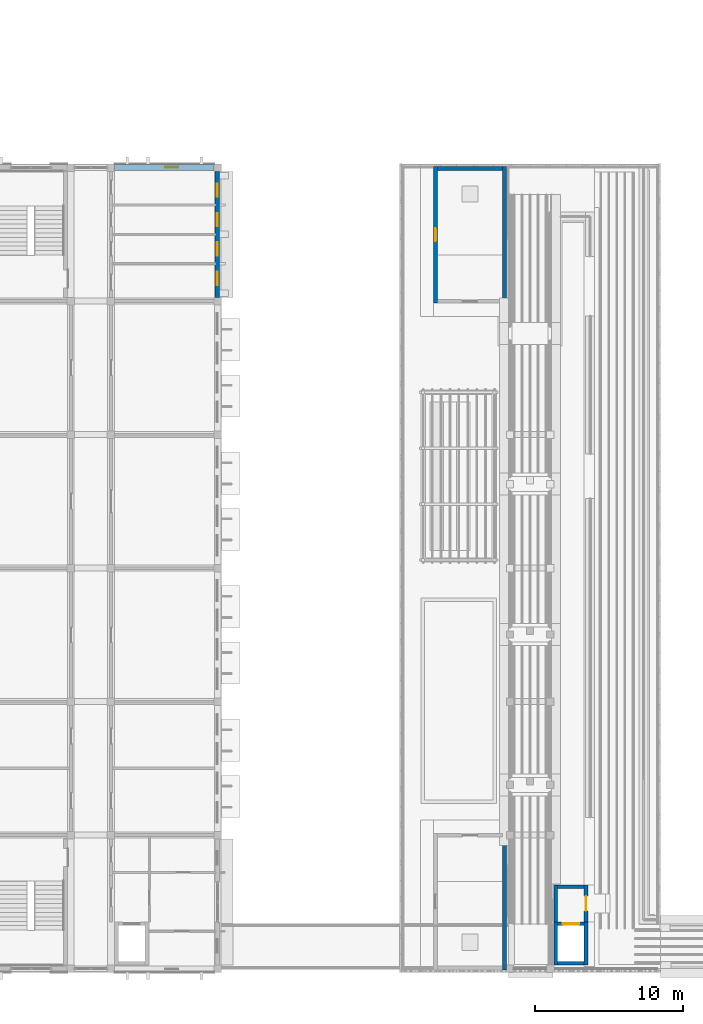
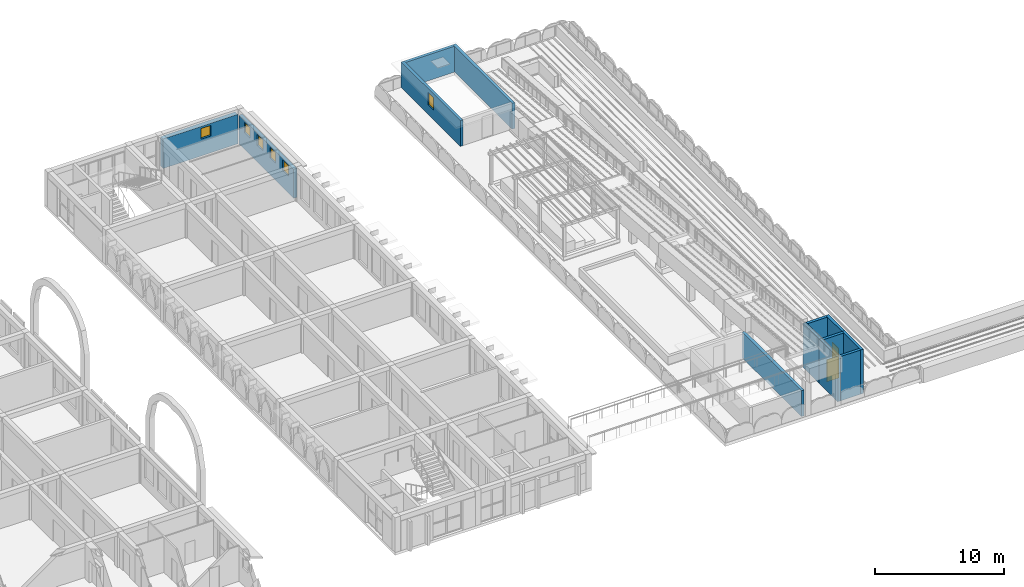
# One storey, part 44 of 65: 13 walls, 6 windows, 2 doors, 8 openings.
"""IFC4 building model written with IfcOpenShell, lengths in metres."""

from ifc_helpers import new_model, si_unit, direction, frame, frame_2d, origin, place, context, subcontext, project, spatial, rectangle, extrude, material, layer, layer_set, type_object, element, fill, save


model = new_model("IFC4")

# Units and contexts
model_context = context("Model", 3, precision=1e-05, world=origin(), true_north=direction((0.0, 1.0)))
body_context = subcontext(model_context, "Body", "Model", "MODEL_VIEW")
ifc_project = project(units=[si_unit("LENGTHUNIT", "METRE"), si_unit("AREAUNIT", "SQUARE_METRE"), si_unit("VOLUMEUNIT", "CUBIC_METRE"), si_unit("PLANEANGLEUNIT", "RADIAN"), si_unit("MASSUNIT", "GRAM", prefix="KILO")], contexts=[model_context])

# Site, building, storey
site_placement = place(None, origin())
site = spatial("IfcSite", under=ifc_project, at=site_placement, CompositionType="ELEMENT")
building_placement = place(site_placement, origin())
building = spatial("IfcBuilding", under=site, at=building_placement, Name="Elbe Cascade School", CompositionType="ELEMENT")
storey_placement = place(building_placement, frame((0.0, 0.0, 11.699951171875)))
storey = spatial("IfcBuildingStorey", under=building, at=storey_placement, Name="L03", CompositionType="ELEMENT", Elevation=11.699951171875)

# Wall, openings, windows
ifc_material_1 = material(Name="Brick masonry - red clinker, cavity wall with render backing", Category="masonry")
ifc_layer_1 = layer(ifc_material_1, 0.300048828125)
ifc_layer_set_1 = layer_set([ifc_layer_1], Name="Brick masonry - red clinker, cavity wall with render backing")
wall_type_1 = type_object("IfcWallType", Name="Bars envelope External wall - clinker brick cavity, 300 upper floors", PredefinedType="STANDARD", material=ifc_layer_set_1)
wall_1_placement = place(storey_placement, frame((115.669921875, 59.75, 0.0), z_axis=(0.0, 0.0, 1.0), x_axis=(0.0, -1.0, 0.0)))
wall_1 = element("IfcWall", 1, at=wall_1_placement, inside=storey, type_object=wall_type_1, Name="External wall W30 B.L03.e6", PredefinedType="STANDARD", context=body_context, shape_type="SweptSolid", body=[
    extrude(rectangle(XDim=8.5, YDim=0.300048828125, at=frame_2d((4.25, 0.0))), origin(), (0.0, 0.0, 1.0), 2.75),
])
opening_1_placement = place(wall_1_placement, frame((6.77001953125, 0.0, 1.60009765625)))
opening_1 = element("IfcOpeningElement", 2, at=opening_1_placement, cuts=wall_1, Name="Opening W3.074", PredefinedType="OPENING", context=body_context, shape_type="SweptSolid", body=[
    extrude(rectangle(XDim=0.89990234375, YDim=1.0, at=frame_2d((0.449951171875, 0.5))), frame((0.0, 0.159912109375, 0.0), z_axis=(0.0, -1.0, 0.0), x_axis=(1.0, 0.0, 0.0)), (0.0, 0.0, 1.0), 0.320068359375),
])
opening_2_placement = place(wall_1_placement, frame((4.7900390625, 0.0, 1.60009765625)))
opening_2 = element("IfcOpeningElement", 3, at=opening_2_placement, cuts=wall_1, Name="Opening W3.075", PredefinedType="OPENING", context=body_context, shape_type="SweptSolid", body=[
    extrude(rectangle(XDim=0.89990234375, YDim=1.0, at=frame_2d((0.449951171875, 0.5))), frame((0.0, 0.159912109375, 0.0), z_axis=(0.0, -1.0, 0.0), x_axis=(1.0, 0.0, 0.0)), (0.0, 0.0, 1.0), 0.320068359375),
])
opening_3_placement = place(wall_1_placement, frame((2.81005859375, 0.0, 1.60009765625)))
opening_3 = element("IfcOpeningElement", 4, at=opening_3_placement, cuts=wall_1, Name="Opening W3.076", PredefinedType="OPENING", context=body_context, shape_type="SweptSolid", body=[
    extrude(rectangle(XDim=0.89990234375, YDim=1.0, at=frame_2d((0.449951171875, 0.5))), frame((0.0, 0.159912109375, 0.0), z_axis=(0.0, -1.0, 0.0), x_axis=(1.0, 0.0, 0.0)), (0.0, 0.0, 1.0), 0.320068359375),
])
opening_4_placement = place(wall_1_placement, frame((0.830078125, 0.0, 1.60009765625)))
opening_4 = element("IfcOpeningElement", 5, at=opening_4_placement, cuts=wall_1, Name="Opening W3.077", PredefinedType="OPENING", context=body_context, shape_type="SweptSolid", body=[
    extrude(rectangle(XDim=0.89990234375, YDim=1.0, at=frame_2d((0.449951171875, 0.5))), frame((0.0, 0.159912109375, 0.0), z_axis=(0.0, -1.0, 0.0), x_axis=(1.0, 0.0, 0.0)), (0.0, 0.0, 1.0), 0.320068359375),
])
ifc_material_2 = material(Name="Aluminium frame with double glazing, bronze anodised", Category="aluminium")
window_type_1 = type_object("IfcWindowType", Name="Bars envelope Window 900 x 1000, WC and service room, high level, aluminium double glazed", PartitioningType="SINGLE_PANEL", PredefinedType="WINDOW", material=ifc_material_2)
window_1_placement = place(opening_1_placement, origin())
window_1 = element("IfcWindow", 6, at=window_1_placement, inside=storey, type_object=window_type_1, Name="Window WN4 B.L03.e6.1", OverallHeight=1.0, OverallWidth=0.89990234375, PartitioningType="SINGLE_PANEL", PredefinedType="WINDOW", context=body_context, shape_type="SweptSolid", body=[
    extrude(rectangle(XDim=0.89990234375, YDim=1.0, at=frame_2d((0.449951171875, 0.5))), frame((0.0, 0.030029296875, 0.0), z_axis=(0.0, -1.0, 0.0), x_axis=(1.0, 0.0, 0.0)), (0.0, 0.0, 1.0), 0.06005859375),
])
fill(opening_1, window_1)
window_2_placement = place(opening_2_placement, origin())
window_2 = element("IfcWindow", 7, at=window_2_placement, inside=storey, type_object=window_type_1, Name="Window WN4 B.L03.e6.2", OverallHeight=1.0, OverallWidth=0.89990234375, PartitioningType="SINGLE_PANEL", PredefinedType="WINDOW", context=body_context, shape_type="SweptSolid", body=[
    extrude(rectangle(XDim=0.89990234375, YDim=1.0, at=frame_2d((0.449951171875, 0.5))), frame((0.0, 0.030029296875, 0.0), z_axis=(0.0, -1.0, 0.0), x_axis=(1.0, 0.0, 0.0)), (0.0, 0.0, 1.0), 0.06005859375),
])
fill(opening_2, window_2)
window_3_placement = place(opening_3_placement, origin())
window_3 = element("IfcWindow", 8, at=window_3_placement, inside=storey, type_object=window_type_1, Name="Window WN4 B.L03.e6.3", OverallHeight=1.0, OverallWidth=0.89990234375, PartitioningType="SINGLE_PANEL", PredefinedType="WINDOW", context=body_context, shape_type="SweptSolid", body=[
    extrude(rectangle(XDim=0.89990234375, YDim=1.0, at=frame_2d((0.449951171875, 0.5))), frame((0.0, 0.030029296875, 0.0), z_axis=(0.0, -1.0, 0.0), x_axis=(1.0, 0.0, 0.0)), (0.0, 0.0, 1.0), 0.06005859375),
])
fill(opening_3, window_3)
window_4_placement = place(opening_4_placement, origin())
window_4 = element("IfcWindow", 9, at=window_4_placement, inside=storey, type_object=window_type_1, Name="Window WN4 B.L03.e6.4", OverallHeight=1.0, OverallWidth=0.89990234375, PartitioningType="SINGLE_PANEL", PredefinedType="WINDOW", context=body_context, shape_type="SweptSolid", body=[
    extrude(rectangle(XDim=0.89990234375, YDim=1.0, at=frame_2d((0.449951171875, 0.5))), frame((0.0, 0.030029296875, 0.0), z_axis=(0.0, -1.0, 0.0), x_axis=(1.0, 0.0, 0.0)), (0.0, 0.0, 1.0), 0.06005859375),
])
fill(opening_4, window_4)

# Wall, opening, window
ifc_material_3 = material(Name="Brick masonry - red clinker, solid, sandstone-faced", Category="masonry")
ifc_layer_2 = layer(ifc_material_3, 0.39990234375)
ifc_layer_set_2 = layer_set([ifc_layer_2], Name="Brick masonry - red clinker, solid, sandstone-faced")
wall_type_2 = type_object("IfcWallType", Name="Bars envelope External wall - solid masonry core strip, sandstone faced, 400", PredefinedType="STANDARD", material=ifc_layer_set_2)
wall_2_placement = place(storey_placement, frame((108.75, 60.02001953125, 0.0), z_axis=(0.0, 0.0, 1.0), x_axis=(1.0, 0.0, 0.0)))
wall_2 = element("IfcWall", 10, at=wall_2_placement, inside=storey, type_object=wall_type_2, Name="External wall W31 B.L03.n3", PredefinedType="STANDARD", context=body_context, shape_type="SweptSolid", body=[
    extrude(rectangle(XDim=6.699951171875, YDim=0.39990234375, at=frame_2d((3.35009765625, 0.0))), origin(), (0.0, 0.0, 1.0), 2.800048828125),
])
opening_5_placement = place(wall_2_placement, frame((3.39990234375, 0.0, 1.60009765625)))
opening_5 = element("IfcOpeningElement", 11, at=opening_5_placement, cuts=wall_2, Name="Opening W3.078", PredefinedType="OPENING", context=body_context, shape_type="SweptSolid", body=[
    extrude(rectangle(XDim=0.89990234375, YDim=1.0, at=frame_2d((0.449951171875, 0.5))), frame((0.0, 0.2099609375, 0.0), z_axis=(0.0, -1.0, 0.0), x_axis=(1.0, 0.0, 0.0)), (0.0, 0.0, 1.0), 0.419921875),
])
window_5_placement = place(opening_5_placement, origin())
window_5 = element("IfcWindow", 12, at=window_5_placement, inside=storey, type_object=window_type_1, Name="Window WN4 B.L03.n3.1", OverallHeight=1.0, OverallWidth=0.89990234375, PartitioningType="SINGLE_PANEL", PredefinedType="WINDOW", context=body_context, shape_type="SweptSolid", body=[
    extrude(rectangle(XDim=0.89990234375, YDim=1.0, at=frame_2d((0.449951171875, 0.5))), frame((0.0, 0.030029296875, 0.0), z_axis=(0.0, -1.0, 0.0), x_axis=(1.0, 0.0, 0.0)), (0.0, 0.0, 1.0), 0.06005859375),
])
fill(opening_5, window_5)

# Wall
ifc_material_4 = material(Name="Concrete C30/37", Category="concrete")
ifc_layer_3 = layer(ifc_material_4, 0.25)
ifc_layer_set_3 = layer_set([ifc_layer_3], Name="Concrete C30/37")
wall_type_3 = type_object("IfcWallType", Name="Head-house wall 250", PredefinedType="SOLIDWALL", material=ifc_layer_set_3)
wall_3_placement = place(storey_placement, frame((135.02490234375, 5.929931640625, 0.0), z_axis=(0.0, 0.0, 1.0), x_axis=(0.0, 1.0, 0.0)))
element("IfcWall", 13, at=wall_3_placement, inside=storey, type_object=wall_type_3, Name="Head-house wall 250 W2", PredefinedType="SOLIDWALL", context=body_context, shape_type="SweptSolid", body=[
    extrude(rectangle(XDim=9.195068359375, YDim=0.25, at=frame_2d((4.59765625, 0.0))), origin(), (0.0, 0.0, 1.0), 2.449951171875),
])

# Wall, opening, window
wall_4_placement = place(storey_placement, frame((130.375, 50.875, 0.0), z_axis=(0.0, 0.0, 1.0), x_axis=(0.0, 1.0, 0.0)))
wall_4 = element("IfcWall", 14, at=wall_4_placement, inside=storey, type_object=wall_type_3, Name="Head-house wall 250 W2", PredefinedType="SOLIDWALL", context=body_context, shape_type="SweptSolid", body=[
    extrude(rectangle(XDim=9.195068359375, YDim=0.25, at=frame_2d((4.59765625, 0.0))), origin(), (0.0, 0.0, 1.0), 2.449951171875),
])
opening_6_placement = place(wall_4_placement, frame((4.1474609375, 0.0, 0.89990234375)))
opening_6 = element("IfcOpeningElement", 15, at=opening_6_placement, cuts=wall_4, Name="Opening W3.082", PredefinedType="OPENING", context=body_context, shape_type="SweptSolid", body=[
    extrude(rectangle(XDim=0.89990234375, YDim=1.199951171875, at=frame_2d((0.449951171875, 0.60009765625))), frame((0.0, 0.135009765625, 0.0), z_axis=(0.0, -1.0, 0.0), x_axis=(1.0, 0.0, 0.0)), (0.0, 0.0, 1.0), 0.27001953125),
])
ifc_material_5 = material(Name="Aluminium frame with double glazing, bronze anodised", Category="aluminium")
window_type_2 = type_object("IfcWindowType", Name="Bars envelope Head-house window 900 x 1200, stair daylight, aluminium double glazed", PartitioningType="SINGLE_PANEL", PredefinedType="WINDOW", material=ifc_material_5)
window_6_placement = place(opening_6_placement, origin())
window_6 = element("IfcWindow", 16, at=window_6_placement, inside=storey, type_object=window_type_2, Name="Window WN10 C.L03.head-house north", OverallHeight=1.199951171875, OverallWidth=0.89990234375, PartitioningType="SINGLE_PANEL", PredefinedType="WINDOW", context=body_context, shape_type="SweptSolid", body=[
    extrude(rectangle(XDim=0.89990234375, YDim=1.199951171875, at=frame_2d((0.449951171875, 0.60009765625))), frame((0.0, 0.030029296875, 0.0), z_axis=(0.0, -1.0, 0.0), x_axis=(1.0, 0.0, 0.0)), (0.0, 0.0, 1.0), 0.06005859375),
])
fill(opening_6, window_6)

# Walls
wall_5_placement = place(storey_placement, frame((135.02490234375, 50.875, 0.0), z_axis=(0.0, 0.0, 1.0), x_axis=(0.0, 1.0, 0.0)))
element("IfcWall", 17, at=wall_5_placement, inside=storey, type_object=wall_type_3, Name="Head-house wall 250 W2", PredefinedType="SOLIDWALL", context=body_context, shape_type="SweptSolid", body=[
    extrude(rectangle(XDim=9.195068359375, YDim=0.25, at=frame_2d((4.59765625, 0.0))), origin(), (0.0, 0.0, 1.0), 2.449951171875),
])
wall_6_placement = place(storey_placement, frame((130.5, 59.945068359375, 0.0), z_axis=(0.0, 0.0, 1.0), x_axis=(1.0, 0.0, 0.0)))
element("IfcWall", 18, at=wall_6_placement, inside=storey, type_object=wall_type_3, Name="Head-house wall 250 W2", PredefinedType="SOLIDWALL", context=body_context, shape_type="SweptSolid", body=[
    extrude(rectangle(XDim=4.39990234375, YDim=0.25, at=frame_2d((2.199951171875, 0.0))), origin(), (0.0, 0.0, 1.0), 2.449951171875),
])
ifc_material_6 = material(Name="Concrete C30/37", Category="concrete")
ifc_layer_4 = layer(ifc_material_6, 0.25)
ifc_layer_set_4 = layer_set([ifc_layer_4], Name="Concrete C30/37")
wall_type_4 = type_object("IfcWallType", Name="Head-house wall 250 EI 90", PredefinedType="SOLIDWALL", material=ifc_layer_set_4)
wall_7_placement = place(storey_placement, frame((138.47509765625, 9.14990234375, 0.0), z_axis=(0.0, 0.0, 1.0), x_axis=(0.0, 1.0, 0.0)))
element("IfcWall", 19, at=wall_7_placement, inside=storey, type_object=wall_type_4, Name="Head-house wall 250 EI 90 W44", PredefinedType="SOLIDWALL", context=body_context, shape_type="SweptSolid", body=[
    extrude(rectangle(XDim=2.5, YDim=0.25, at=frame_2d((1.25, 0.0))), origin(), (0.0, 0.0, 1.0), 4.199951171875),
])

# Wall, opening, door
wall_8_placement = place(storey_placement, frame((140.52490234375, 11.64990234375, 0.0), z_axis=(0.0, 0.0, 1.0), x_axis=(0.0, -1.0, 0.0)))
wall_8 = element("IfcWall", 20, at=wall_8_placement, inside=storey, type_object=wall_type_4, Name="Head-house wall 250 EI 90 W44", PredefinedType="SOLIDWALL", context=body_context, shape_type="SweptSolid", body=[
    extrude(rectangle(XDim=2.5, YDim=0.25, at=frame_2d((1.25, 0.0))), origin(), (0.0, 0.0, 1.0), 4.199951171875),
])
opening_7_placement = place(wall_8_placement, frame((0.75, 0.0, 0.0)))
opening_7 = element("IfcOpeningElement", 21, at=opening_7_placement, cuts=wall_8, Name="Opening D3.056", PredefinedType="OPENING", context=body_context, shape_type="SweptSolid", body=[
    extrude(rectangle(XDim=1.0, YDim=2.10009765625, at=frame_2d((0.5, 1.050048828125))), frame((0.0, 0.135009765625, 0.0), z_axis=(0.0, -1.0, 0.0), x_axis=(1.0, 0.0, 0.0)), (0.0, 0.0, 1.0), 0.27001953125),
])
ifc_material_7 = material(Name="Head-house door 1000x2100")
door_type_1 = type_object("IfcDoorType", Name="Head-house door 1000x2100", OperationType="SINGLE_SWING_RIGHT", PredefinedType="DOOR", material=ifc_material_7)
door_1_placement = place(opening_7_placement, origin())
door_1 = element("IfcDoor", 22, at=door_1_placement, inside=storey, type_object=door_type_1, Name="Head-house door 1000x2100 D3.056", OperationType="SINGLE_SWING_RIGHT", OverallHeight=2.10009765625, OverallWidth=1.0, PredefinedType="DOOR", context=body_context, shape_type="SweptSolid", body=[
    extrude(rectangle(XDim=1.0, YDim=2.10009765625, at=frame_2d((0.5, 1.050048828125))), frame((0.0, 0.02490234375, 0.0), z_axis=(0.0, -1.0, 0.0), x_axis=(1.0, 0.0, 0.0)), (0.0, 0.0, 1.0), 0.050048828125),
])
fill(opening_7, door_1)

# Walls
wall_9_placement = place(storey_placement, frame((138.60009765625, 11.52490234375, 0.0), z_axis=(0.0, 0.0, 1.0), x_axis=(1.0, 0.0, 0.0)))
element("IfcWall", 23, at=wall_9_placement, inside=storey, type_object=wall_type_4, Name="Head-house wall 250 EI 90 W44", PredefinedType="SOLIDWALL", context=body_context, shape_type="SweptSolid", body=[
    extrude(rectangle(XDim=1.7998046875, YDim=0.25, at=frame_2d((0.89990234375, 0.0))), origin(), (0.0, 0.0, 1.0), 4.199951171875),
])
ifc_material_8 = material(Name="Concrete C30/37", Category="concrete")
ifc_layer_5 = layer(ifc_material_8, 0.25)
ifc_layer_set_5 = layer_set([ifc_layer_5], Name="Concrete C30/37")
wall_type_5 = type_object("IfcWallType", Name="Shaft wall 250", PredefinedType="SHEAR", material=ifc_layer_set_5)
for number, where, z_axis, x_axis, name in (
    (24, (138.47509765625, 6.25, 0.0), (0.0, 0.0, 1.0), (0.0, 1.0, 0.0), "Shaft wall 250 W1"),
    (25, (140.52490234375, 6.25, 0.0), (0.0, 0.0, 1.0), (0.0, 1.0, 0.0), "Shaft wall 250 W1"),
):
    element("IfcWall", number, at=place(storey_placement, frame(where, z_axis=z_axis, x_axis=x_axis)), inside=storey, type_object=wall_type_5, Name=name, PredefinedType="SHEAR", context=body_context, shape_type="SweptSolid", body=[
        extrude(rectangle(XDim=2.89990234375, YDim=0.25, at=frame_2d((1.449951171875, 0.0))), origin(), (0.0, 0.0, 1.0), 4.199951171875),
    ])
wall_10_placement = place(storey_placement, frame((138.60009765625, 6.375, 0.0), z_axis=(0.0, 0.0, 1.0), x_axis=(1.0, 0.0, 0.0)))
element("IfcWall", 26, at=wall_10_placement, inside=storey, type_object=wall_type_5, Name="Shaft wall 250 W1", PredefinedType="SHEAR", context=body_context, shape_type="SweptSolid", body=[
    extrude(rectangle(XDim=1.7998046875, YDim=0.25, at=frame_2d((0.89990234375, 0.0))), origin(), (0.0, 0.0, 1.0), 4.199951171875),
])

# Wall, opening, door
wall_11_placement = place(storey_placement, frame((138.60009765625, 9.02490234375, 0.0), z_axis=(0.0, 0.0, 1.0), x_axis=(1.0, 0.0, 0.0)))
wall_11 = element("IfcWall", 27, at=wall_11_placement, inside=storey, type_object=wall_type_5, Name="Shaft wall 250 W1", PredefinedType="SHEAR", context=body_context, shape_type="SweptSolid", body=[
    extrude(rectangle(XDim=1.7998046875, YDim=0.25, at=frame_2d((0.89990234375, 0.0))), origin(), (0.0, 0.0, 1.0), 4.199951171875),
])
opening_8_placement = place(wall_11_placement, frame((0.35009765625, 0.0, 0.0)))
opening_8 = element("IfcOpeningElement", 28, at=opening_8_placement, cuts=wall_11, Name="Opening D3.055", PredefinedType="OPENING", context=body_context, shape_type="SweptSolid", body=[
    extrude(rectangle(XDim=1.10009765625, YDim=2.10009765625, at=frame_2d((0.550048828125, 1.050048828125))), frame((0.0, 0.135009765625, 0.0), z_axis=(0.0, -1.0, 0.0), x_axis=(1.0, 0.0, 0.0)), (0.0, 0.0, 1.0), 0.27001953125),
])
ifc_material_9 = material(Name="Stainless steel sliding door leaf", Category="steel")
door_type_2 = type_object("IfcDoorType", Name="Bar lift landing door 1100x2100", OperationType="SLIDING_TO_LEFT", PredefinedType="DOOR", material=ifc_material_9)
door_2_placement = place(opening_8_placement, origin())
door_2 = element("IfcDoor", 29, at=door_2_placement, inside=storey, type_object=door_type_2, Name="Lift landing door LDC3.1", OperationType="SLIDING_TO_LEFT", OverallHeight=2.10009765625, OverallWidth=1.10009765625, PredefinedType="DOOR", context=body_context, shape_type="SweptSolid", body=[
    extrude(rectangle(XDim=1.10009765625, YDim=2.10009765625, at=frame_2d((0.550048828125, 1.050048828125))), frame((0.0, 0.02490234375, 0.0), z_axis=(0.0, -1.0, 0.0), x_axis=(1.0, 0.0, 0.0)), (0.0, 0.0, 1.0), 0.050048828125),
])
fill(opening_8, door_2)

save(model, "model.ifc")
